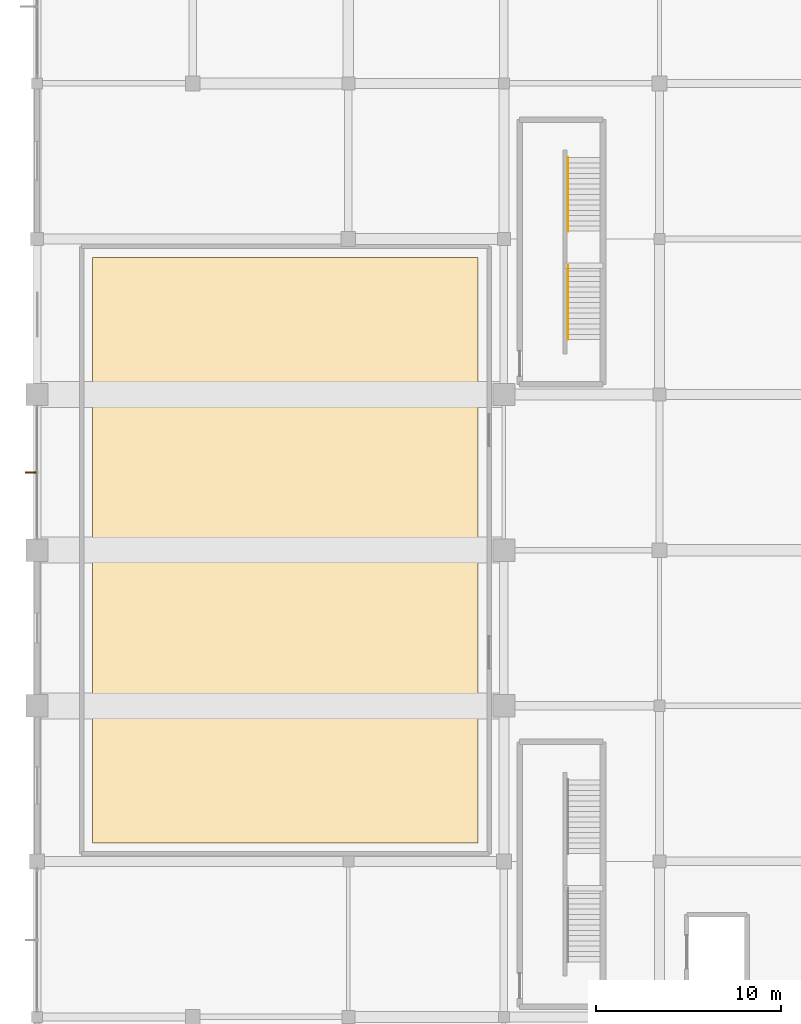
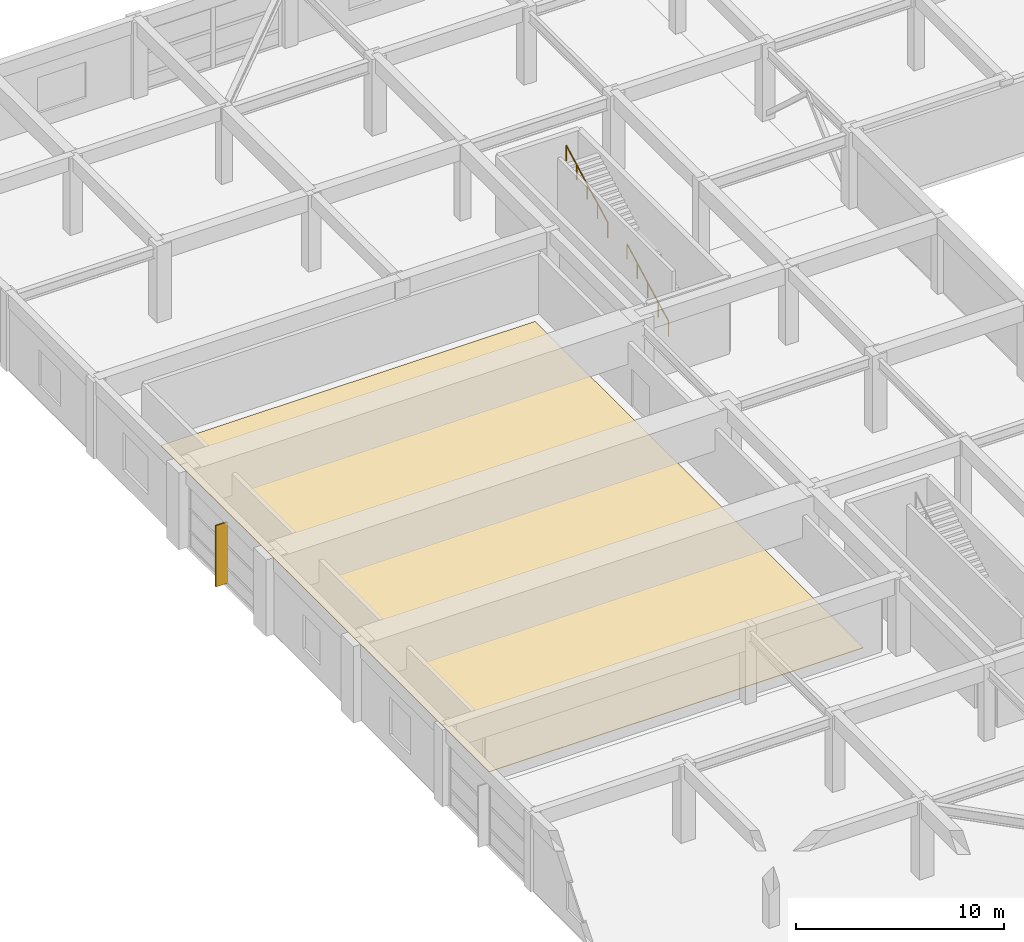
# One storey, part 56 of 62: 2 railings, 1 covering, 1 shading device.
"""IFC4 building model written with IfcOpenShell, lengths in metres."""

from ifc_helpers import new_model, si_unit, direction, frame, origin, origin_2d, place, context, subcontext, project, spatial, polyline, rectangle, circle, outline, extrude, material, layer, layer_set, type_object, element, save


model = new_model("IFC4")

# Units and contexts
model_context = context("Model", 3, precision=1e-05, world=origin(), true_north=direction((0.0, 1.0)))
body_context = subcontext(model_context, "Body", "Model", "MODEL_VIEW")
ifc_project = project(units=[si_unit("LENGTHUNIT", "METRE"), si_unit("AREAUNIT", "SQUARE_METRE"), si_unit("VOLUMEUNIT", "CUBIC_METRE"), si_unit("PLANEANGLEUNIT", "RADIAN"), si_unit("MASSUNIT", "GRAM", prefix="KILO")], contexts=[model_context])

# Site, building, storey
site_placement = place(None, origin())
site = spatial("IfcSite", under=ifc_project, at=site_placement, CompositionType="ELEMENT")
building_placement = place(site_placement, origin())
building = spatial("IfcBuilding", under=site, at=building_placement, Name="Xuanlan Plaza Opera House", CompositionType="ELEMENT")
storey_placement = place(building_placement, frame((0.0, 0.0, 14.39990234375)))
storey = spatial("IfcBuildingStorey", under=building, at=storey_placement, Name="L03", CompositionType="ELEMENT", Elevation=14.39990234375)

# Shading device
ifc_material_1 = material(Name="Anodised Aluminium 6063-T6", Category="aluminium")
shading_device_type = type_object("IfcShadingDeviceType", Name="ENV-SHD-BRS01", PredefinedType="JALOUSIE", material=ifc_material_1)
shading_device_placement = place(storey_placement, frame((-0.324951171875, 63.0, 0.0400390625), z_axis=(0.0, 0.0, 1.0), x_axis=(-1.0, 0.0, 0.0)))
element("IfcShadingDevice", 1, at=shading_device_placement, inside=storey, type_object=shading_device_type, Name="Parametric Sunshade Fin L03-0193", PredefinedType="JALOUSIE", context=body_context, shape_type="SweptSolid", body=[
    extrude(rectangle(XDim=0.639892578125, YDim=0.070068359375, at=origin_2d()), origin(), (0.0, 0.0, 1.0), 3.60009765625),
])

# Covering
ifc_material_2 = material(Name="Oregon Pine Hardwood Timber", Category="wood")
ifc_layer = layer(ifc_material_2, 0.030029296875)
ifc_layer_set = layer_set([ifc_layer], Name="Oregon Pine Hardwood Timber")
covering_type = type_object("IfcCoveringType", Name="INT-COV-FLR-01", PredefinedType="FLOORING", material=ifc_layer_set)
covering_placement = place(storey_placement, origin())
element("IfcCovering", 2, at=covering_placement, inside=storey, type_object=covering_type, Name="Acoustic Floor Finish FLR-REH-L03", PredefinedType="FLOORING", context=body_context, shape_type="SweptSolid", body=[
    extrude(outline(polyline([(3.0, 43.0), (23.800048828125, 43.0), (23.800048828125, 74.60009765625), (3.0, 74.60009765625), (3.0, 43.0)])), origin(), (0.0, 0.0, 1.0), 0.030029296875),
])

# Railings
ifc_material_3 = material(Name="Stainless Steel S30408", Category="steel")
railing_type = type_object("IfcRailingType", Name="INT-RL-HR01", PredefinedType="HANDRAIL", material=ifc_material_3)
for number, where, name in (
    (3, (28.659912109375, 70.169921875, 0.150146484375), "Stair Handrail ST-P2 L03 Flight 1"),
    (4, (28.659912109375, 76.010009765625, 2.400146484375), "Stair Handrail ST-P2 L03 Flight 2"),
):
    element("IfcRailing", number, at=place(storey_placement, frame(where)), inside=storey, type_object=railing_type, Name=name, PredefinedType="HANDRAIL", context=body_context, shape_type="SweptSolid", body=[
        extrude(circle(Radius=0.02392578125, at=origin_2d()), frame((0.0, 0.0, 0.8759765625), z_axis=(0.0, 0.884931142248, 0.465721884261), x_axis=(-1.0, 0.0, 0.0)), (0.0, 0.0, 1.0), 4.5087890625),
        extrude(circle(Radius=0.02099609375, at=origin_2d()), origin(), (0.0, 0.0, 1.0), 0.851806640625),
        extrude(circle(Radius=0.02099609375, at=origin_2d()), frame((0.0, 0.99755859375, 0.52490234375)), (0.0, 0.0, 1.0), 0.851806640625),
        extrude(circle(Radius=0.02099609375, at=origin_2d()), frame((0.0, 1.9951171875, 1.0498046875)), (0.0, 0.0, 1.0), 0.851806640625),
        extrude(circle(Radius=0.02099609375, at=origin_2d()), frame((0.0, 2.992431640625, 1.574951171875)), (0.0, 0.0, 1.0), 0.851806640625),
        extrude(circle(Radius=0.02099609375, at=origin_2d()), frame((0.0, 3.989990234375, 2.099853515625)), (0.0, 0.0, 1.0), 0.851806640625),
    ])

save(model, "model.ifc")
